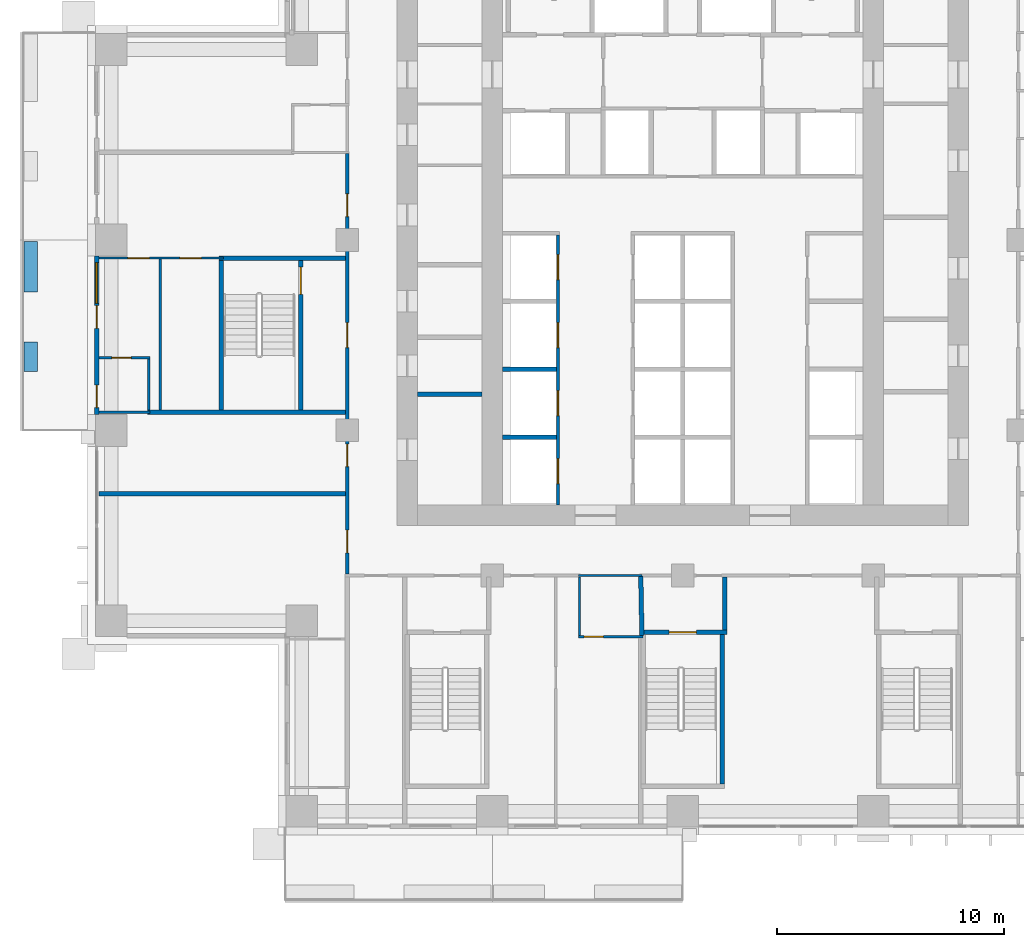
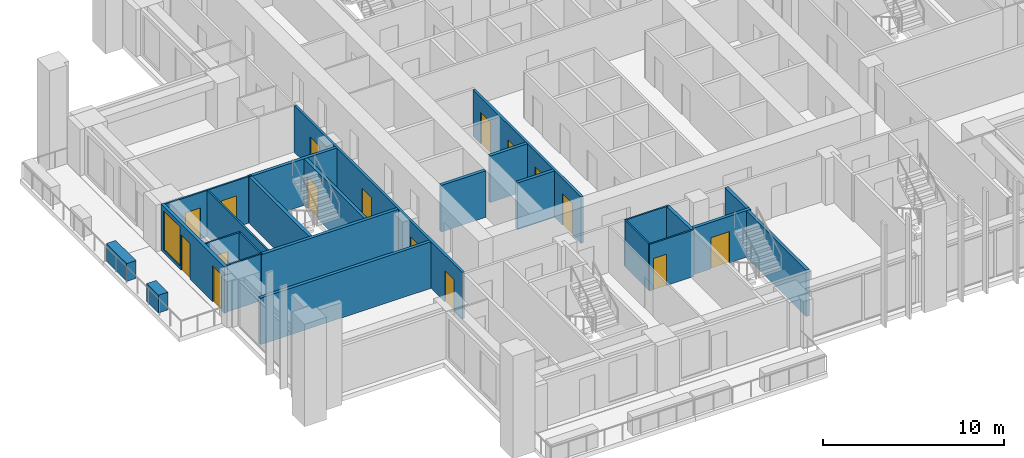
# One storey, part 7 of 18: 25 walls, 16 doors, 1 window, 17 openings.
"""IFC4 building model written with IfcOpenShell, lengths in metres."""

from ifc_helpers import new_model, si_unit, direction, frame, frame_2d, origin, place, context, subcontext, project, spatial, rectangle, extrude, material, layer, layer_set, type_object, element, fill, save


model = new_model("IFC4")

# Units and contexts
model_context = context("Model", 3, precision=1e-05, world=origin(), true_north=direction((0.0, 1.0)))
body_context = subcontext(model_context, "Body", "Model", "MODEL_VIEW")
ifc_project = project(units=[si_unit("LENGTHUNIT", "METRE"), si_unit("AREAUNIT", "SQUARE_METRE"), si_unit("VOLUMEUNIT", "CUBIC_METRE"), si_unit("PLANEANGLEUNIT", "RADIAN"), si_unit("MASSUNIT", "GRAM", prefix="KILO")], contexts=[model_context])

# Site, building, storey
site_placement = place(None, origin())
site = spatial("IfcSite", under=ifc_project, at=site_placement, CompositionType="ELEMENT")
building_placement = place(site_placement, origin())
building = spatial("IfcBuilding", under=site, at=building_placement, Name="Vermilion Ogive Tower", CompositionType="ELEMENT")
storey_placement = place(building_placement, frame((0.0, 0.0, 55.199951171875)))
storey = spatial("IfcBuildingStorey", under=building, at=storey_placement, Name="L12", CompositionType="ELEMENT", Elevation=55.199951171875)

# Wall, opening, door
ifc_material_1 = material(Name="Gypsum board partition on steel studs", Category="steel")
ifc_layer_1 = layer(ifc_material_1, 0.10009765625)
ifc_layer_set_1 = layer_set([ifc_layer_1], Name="Partition 100 bath")
wall_type_1 = type_object("IfcWallType", Name="Partition 100 bath", PredefinedType="PARTITIONING", material=ifc_layer_set_1)
wall_1_placement = place(storey_placement, frame((-4.60009765625, -13.300048828125, 0.0), z_axis=(0.0, 0.0, 1.0), x_axis=(1.0, 0.0, 0.0)))
wall_1 = element("IfcWall", 1, at=wall_1_placement, inside=storey, type_object=wall_type_1, Name="L12-W-W008", PredefinedType="PARTITIONING", context=body_context, shape_type="SweptSolid", body=[
    extrude(rectangle(XDim=2.85009765625, YDim=0.10009765625, at=frame_2d((1.425048828125, 0.0))), origin(), (0.0, 0.0, 1.0), 3.130126953125),
])
opening_1_placement = place(wall_1_placement, frame((0.25, 0.0, 0.0)))
opening_1 = element("IfcOpeningElement", 2, at=opening_1_placement, cuts=wall_1, Name="Opening D1G4014", PredefinedType="OPENING", context=body_context, shape_type="SweptSolid", body=[
    extrude(rectangle(XDim=0.85009765625, YDim=2.10009765625, at=frame_2d((0.425048828125, 1.050048828125))), frame((0.0, 0.06005859375, 0.0), z_axis=(0.0, -1.0, 0.0), x_axis=(1.0, 0.0, 0.0)), (0.0, 0.0, 1.0), 0.1201171875),
])
ifc_material_2 = material(Name="Timber door leaf", Category="wood")
door_type_1 = type_object("IfcDoorType", Name="Bath door 850 x 2100 FD30", OperationType="SINGLE_SWING_LEFT", PredefinedType="DOOR", material=ifc_material_2)
door_1_placement = place(opening_1_placement, origin())
door_1 = element("IfcDoor", 3, at=door_1_placement, inside=storey, type_object=door_type_1, Name="L12-D-D014", OperationType="SINGLE_SWING_LEFT", OverallHeight=2.10009765625, OverallWidth=0.85009765625, PredefinedType="DOOR", context=body_context, shape_type="SweptSolid", body=[
    extrude(rectangle(XDim=0.85009765625, YDim=2.10009765625, at=frame_2d((0.425048828125, 1.050048828125))), frame((0.0, 0.02490234375, 0.0), z_axis=(0.0, -1.0, 0.0), x_axis=(1.0, 0.0, 0.0)), (0.0, 0.0, 1.0), 0.050048828125),
])
fill(opening_1, door_1)

# Walls
wall_2_placement = place(storey_placement, frame((-4.60009765625, -10.60009765625, 0.0), z_axis=(0.0, 0.0, 1.0), x_axis=(1.0, 0.0, 0.0)))
element("IfcWall", 4, at=wall_2_placement, inside=storey, type_object=wall_type_1, Name="L12-W-W013", PredefinedType="PARTITIONING", context=body_context, shape_type="SweptSolid", body=[
    extrude(rectangle(XDim=2.800048828125, YDim=0.10009765625, at=frame_2d((1.39990234375, 0.0))), origin(), (0.0, 0.0, 1.0), 3.130126953125),
])
wall_3_placement = place(storey_placement, frame((-25.75, -3.39990234375, 0.0), z_axis=(0.0, 0.0, 1.0), x_axis=(1.0, 0.0, 0.0)))
element("IfcWall", 5, at=wall_3_placement, inside=storey, type_object=wall_type_1, Name="L12-W-W017", PredefinedType="PARTITIONING", context=body_context, shape_type="SweptSolid", body=[
    extrude(rectangle(XDim=2.25, YDim=0.10009765625, at=frame_2d((1.125, 0.0))), origin(), (0.0, 0.0, 1.0), 3.130126953125),
])

# Wall, opening, door
wall_4_placement = place(storey_placement, frame((-25.75, -1.0, 0.0), z_axis=(0.0, 0.0, 1.0), x_axis=(1.0, 0.0, 0.0)))
wall_4 = element("IfcWall", 6, at=wall_4_placement, inside=storey, type_object=wall_type_1, Name="L12-W-W021", PredefinedType="PARTITIONING", context=body_context, shape_type="SweptSolid", body=[
    extrude(rectangle(XDim=2.25, YDim=0.10009765625, at=frame_2d((1.125, 0.0))), origin(), (0.0, 0.0, 1.0), 3.130126953125),
])
opening_2_placement = place(wall_4_placement, frame((0.574951171875, 0.0, 0.0)))
opening_2 = element("IfcOpeningElement", 7, at=opening_2_placement, cuts=wall_4, Name="Opening D1G4007", PredefinedType="OPENING", context=body_context, shape_type="SweptSolid", body=[
    extrude(rectangle(XDim=0.85009765625, YDim=2.10009765625, at=frame_2d((0.425048828125, 1.050048828125))), frame((0.0, 0.06005859375, 0.0), z_axis=(0.0, -1.0, 0.0), x_axis=(1.0, 0.0, 0.0)), (0.0, 0.0, 1.0), 0.1201171875),
])
door_2_placement = place(opening_2_placement, origin())
door_2 = element("IfcDoor", 8, at=door_2_placement, inside=storey, type_object=door_type_1, Name="L12-D-D007", OperationType="SINGLE_SWING_RIGHT", OverallHeight=2.10009765625, OverallWidth=0.85009765625, PredefinedType="DOOR", context=body_context, shape_type="SweptSolid", body=[
    extrude(rectangle(XDim=0.85009765625, YDim=2.10009765625, at=frame_2d((0.425048828125, 1.050048828125))), frame((0.0, 0.02490234375, 0.0), z_axis=(0.0, -1.0, 0.0), x_axis=(1.0, 0.0, 0.0)), (0.0, 0.0, 1.0), 0.050048828125),
])
fill(opening_2, door_2)

# Walls
wall_5_placement = place(storey_placement, frame((-23.550048828125, -3.300048828125, 0.0), z_axis=(0.0, 0.0, 1.0), x_axis=(0.0, 1.0, 0.0)))
element("IfcWall", 9, at=wall_5_placement, inside=storey, type_object=wall_type_1, Name="L12-W-W041", PredefinedType="PARTITIONING", context=body_context, shape_type="SweptSolid", body=[
    extrude(rectangle(XDim=2.25, YDim=0.10009765625, at=frame_2d((1.125, 0.0))), origin(), (0.0, 0.0, 1.0), 3.130126953125),
])
wall_6_placement = place(storey_placement, frame((-4.550048828125, -13.25, 0.0), z_axis=(0.0, 0.0, 1.0), x_axis=(0.0, 1.0, 0.0)))
element("IfcWall", 10, at=wall_6_placement, inside=storey, type_object=wall_type_1, Name="L12-W-W059", PredefinedType="PARTITIONING", context=body_context, shape_type="SweptSolid", body=[
    extrude(rectangle(XDim=2.574951171875, YDim=0.10009765625, at=frame_2d((1.28759765625, 0.0))), origin(), (0.0, 0.0, 1.0), 3.130126953125),
])

# Wall, openings, doors
ifc_material_3 = material(Name="Gypsum board partition on steel studs", Category="steel")
ifc_layer_2 = layer(ifc_material_3, 0.10009765625)
ifc_layer_set_2 = layer_set([ifc_layer_2], Name="Partition 100 inner")
wall_type_2 = type_object("IfcWallType", Name="Partition 100 inner", PredefinedType="PARTITIONING", material=ifc_layer_set_2)
wall_7_placement = place(storey_placement, frame((-25.75, 3.39990234375, 0.0), z_axis=(0.0, 0.0, 1.0), x_axis=(1.0, 0.0, 0.0)))
wall_7 = element("IfcWall", 11, at=wall_7_placement, inside=storey, type_object=wall_type_2, Name="L12-W-W023", PredefinedType="PARTITIONING", context=body_context, shape_type="SweptSolid", body=[
    extrude(rectangle(XDim=5.5, YDim=0.10009765625, at=frame_2d((2.75, 0.0))), origin(), (0.0, 0.0, 1.0), 3.130126953125),
])
opening_3_placement = place(wall_7_placement, frame((1.27490234375, 0.0, 0.0)))
opening_3 = element("IfcOpeningElement", 12, at=opening_3_placement, cuts=wall_7, Name="Opening D1G4004", PredefinedType="OPENING", context=body_context, shape_type="SweptSolid", body=[
    extrude(rectangle(XDim=0.949951171875, YDim=2.10009765625, at=frame_2d((0.47509765625, 1.050048828125))), frame((0.0, 0.06005859375, 0.0), z_axis=(0.0, -1.0, 0.0), x_axis=(1.0, 0.0, 0.0)), (0.0, 0.0, 1.0), 0.1201171875),
])
opening_4_placement = place(wall_7_placement, frame((3.574951171875, 0.0, 0.0)))
opening_4 = element("IfcOpeningElement", 13, at=opening_4_placement, cuts=wall_7, Name="Opening D1G4006", PredefinedType="OPENING", context=body_context, shape_type="SweptSolid", body=[
    extrude(rectangle(XDim=0.949951171875, YDim=2.10009765625, at=frame_2d((0.47509765625, 1.050048828125))), frame((0.0, 0.06005859375, 0.0), z_axis=(0.0, -1.0, 0.0), x_axis=(1.0, 0.0, 0.0)), (0.0, 0.0, 1.0), 0.1201171875),
])
ifc_material_4 = material(Name="Timber door leaf", Category="wood")
door_type_2 = type_object("IfcDoorType", Name="Inner door 950 x 2100 FD30", OperationType="SINGLE_SWING_LEFT", PredefinedType="DOOR", material=ifc_material_4)
door_3_placement = place(opening_3_placement, origin())
door_3 = element("IfcDoor", 14, at=door_3_placement, inside=storey, type_object=door_type_2, Name="L12-D-D004", OperationType="SINGLE_SWING_RIGHT", OverallHeight=2.10009765625, OverallWidth=0.949951171875, PredefinedType="DOOR", context=body_context, shape_type="SweptSolid", body=[
    extrude(rectangle(XDim=0.949951171875, YDim=2.10009765625, at=frame_2d((0.47509765625, 1.050048828125))), frame((0.0, 0.02490234375, 0.0), z_axis=(0.0, -1.0, 0.0), x_axis=(1.0, 0.0, 0.0)), (0.0, 0.0, 1.0), 0.050048828125),
])
fill(opening_3, door_3)
door_4_placement = place(opening_4_placement, origin())
door_4 = element("IfcDoor", 15, at=door_4_placement, inside=storey, type_object=door_type_2, Name="L12-D-D006", OperationType="SINGLE_SWING_RIGHT", OverallHeight=2.10009765625, OverallWidth=0.949951171875, PredefinedType="DOOR", context=body_context, shape_type="SweptSolid", body=[
    extrude(rectangle(XDim=0.949951171875, YDim=2.10009765625, at=frame_2d((0.47509765625, 1.050048828125))), frame((0.0, 0.02490234375, 0.0), z_axis=(0.0, -1.0, 0.0), x_axis=(1.0, 0.0, 0.0)), (0.0, 0.0, 1.0), 0.050048828125),
])
fill(opening_4, door_4)

# Wall
wall_8_placement = place(storey_placement, frame((-23.050048828125, -3.300048828125, 0.0), z_axis=(0.0, 0.0, 1.0), x_axis=(0.0, 1.0, 0.0)))
element("IfcWall", 16, at=wall_8_placement, inside=storey, type_object=wall_type_2, Name="L12-W-W042", PredefinedType="PARTITIONING", context=body_context, shape_type="SweptSolid", body=[
    extrude(rectangle(XDim=6.650146484375, YDim=0.10009765625, at=frame_2d((3.3251953125, 0.0))), origin(), (0.0, 0.0, 1.0), 3.130126953125),
])

# Wall, openings, doors
ifc_material_5 = material(Name="Gypsum board partition on steel studs", Category="steel")
ifc_layer_3 = layer(ifc_material_5, 0.14990234375)
ifc_layer_set_3 = layer_set([ifc_layer_3], Name="Partition 150 corridor")
wall_type_3 = type_object("IfcWallType", Name="Partition 150 corridor", PredefinedType="PARTITIONING", material=ifc_layer_set_3)
wall_9_placement = place(storey_placement, frame((-14.800048828125, -10.52490234375, 0.0), z_axis=(0.0, 0.0, 1.0), x_axis=(0.0, 1.0, 0.0)))
wall_9 = element("IfcWall", 17, at=wall_9_placement, inside=storey, type_object=wall_type_3, Name="L12-W-W049", PredefinedType="PARTITIONING", context=body_context, shape_type="SweptSolid", body=[
    extrude(rectangle(XDim=18.534912109375, YDim=0.14990234375, at=frame_2d((9.267578125, 0.0))), origin(), (0.0, 0.0, 1.0), 3.130126953125),
])
opening_5_placement = place(wall_9_placement, frame((0.9248046875, 0.0, 0.0)))
opening_5 = element("IfcOpeningElement", 18, at=opening_5_placement, cuts=wall_9, Name="Opening D1G4001", PredefinedType="OPENING", context=body_context, shape_type="SweptSolid", body=[
    extrude(rectangle(XDim=1.0, YDim=2.10009765625, at=frame_2d((0.5, 1.050048828125))), frame((0.0, 0.0849609375, 0.0), z_axis=(0.0, -1.0, 0.0), x_axis=(1.0, 0.0, 0.0)), (0.0, 0.0, 1.0), 0.169921875),
])
opening_6_placement = place(wall_9_placement, frame((15.7548828125, 0.0, 0.0)))
opening_6 = element("IfcOpeningElement", 19, at=opening_6_placement, cuts=wall_9, Name="Opening D1G4005", PredefinedType="OPENING", context=body_context, shape_type="SweptSolid", body=[
    extrude(rectangle(XDim=1.0, YDim=2.10009765625, at=frame_2d((0.5, 1.050048828125))), frame((0.0, 0.0849609375, 0.0), z_axis=(0.0, -1.0, 0.0), x_axis=(1.0, 0.0, 0.0)), (0.0, 0.0, 1.0), 0.169921875),
])
opening_7_placement = place(wall_9_placement, frame((9.974853515625, 0.0, 0.0)))
opening_7 = element("IfcOpeningElement", 20, at=opening_7_placement, cuts=wall_9, Name="Opening D1G4036", PredefinedType="OPENING", context=body_context, shape_type="SweptSolid", body=[
    extrude(rectangle(XDim=1.10009765625, YDim=2.10009765625, at=frame_2d((0.550048828125, 1.050048828125))), frame((0.0, 0.0849609375, 0.0), z_axis=(0.0, -1.0, 0.0), x_axis=(1.0, 0.0, 0.0)), (0.0, 0.0, 1.0), 0.169921875),
])
opening_8_placement = place(wall_9_placement, frame((4.724853515625, 0.0, 0.0)))
opening_8 = element("IfcOpeningElement", 21, at=opening_8_placement, cuts=wall_9, Name="Opening D1G4040", PredefinedType="OPENING", context=body_context, shape_type="SweptSolid", body=[
    extrude(rectangle(XDim=1.0, YDim=2.10009765625, at=frame_2d((0.5, 1.050048828125))), frame((0.0, 0.0849609375, 0.0), z_axis=(0.0, -1.0, 0.0), x_axis=(1.0, 0.0, 0.0)), (0.0, 0.0, 1.0), 0.169921875),
])
ifc_material_6 = material(Name="Timber door leaf", Category="wood")
door_type_3 = type_object("IfcDoorType", Name="Stair door 1100 x 2100 FD60S", OperationType="SINGLE_SWING_LEFT", PredefinedType="DOOR", material=ifc_material_6)
door_5_placement = place(opening_7_placement, origin())
door_5 = element("IfcDoor", 22, at=door_5_placement, inside=storey, type_object=door_type_3, Name="L12-D-D036", OperationType="SINGLE_SWING_RIGHT", OverallHeight=2.10009765625, OverallWidth=1.10009765625, PredefinedType="DOOR", context=body_context, shape_type="SweptSolid", body=[
    extrude(rectangle(XDim=1.10009765625, YDim=2.10009765625, at=frame_2d((0.550048828125, 1.050048828125))), frame((0.0, 0.02490234375, 0.0), z_axis=(0.0, -1.0, 0.0), x_axis=(1.0, 0.0, 0.0)), (0.0, 0.0, 1.0), 0.050048828125),
])
fill(opening_7, door_5)
ifc_material_7 = material(Name="Timber door leaf", Category="wood")
door_type_4 = type_object("IfcDoorType", Name="Unit door 1000 x 2100 FD30S", OperationType="SINGLE_SWING_LEFT", PredefinedType="DOOR", material=ifc_material_7)
door_6_placement = place(opening_5_placement, origin())
door_6 = element("IfcDoor", 23, at=door_6_placement, inside=storey, type_object=door_type_4, Name="L12-D-D001", OperationType="SINGLE_SWING_LEFT", OverallHeight=2.10009765625, OverallWidth=1.0, PredefinedType="DOOR", context=body_context, shape_type="SweptSolid", body=[
    extrude(rectangle(XDim=1.0, YDim=2.10009765625, at=frame_2d((0.5, 1.050048828125))), frame((0.0, 0.02490234375, 0.0), z_axis=(0.0, -1.0, 0.0), x_axis=(1.0, 0.0, 0.0)), (0.0, 0.0, 1.0), 0.050048828125),
])
fill(opening_5, door_6)
door_7_placement = place(opening_6_placement, origin())
door_7 = element("IfcDoor", 24, at=door_7_placement, inside=storey, type_object=door_type_4, Name="L12-D-D005", OperationType="SINGLE_SWING_RIGHT", OverallHeight=2.10009765625, OverallWidth=1.0, PredefinedType="DOOR", context=body_context, shape_type="SweptSolid", body=[
    extrude(rectangle(XDim=1.0, YDim=2.10009765625, at=frame_2d((0.5, 1.050048828125))), frame((0.0, 0.02490234375, 0.0), z_axis=(0.0, -1.0, 0.0), x_axis=(1.0, 0.0, 0.0)), (0.0, 0.0, 1.0), 0.050048828125),
])
fill(opening_6, door_7)
door_8_placement = place(opening_8_placement, origin())
door_8 = element("IfcDoor", 25, at=door_8_placement, inside=storey, type_object=door_type_4, Name="L12-D-D040", OperationType="SINGLE_SWING_LEFT", OverallHeight=2.10009765625, OverallWidth=1.0, PredefinedType="DOOR", context=body_context, shape_type="SweptSolid", body=[
    extrude(rectangle(XDim=1.0, YDim=2.10009765625, at=frame_2d((0.5, 1.050048828125))), frame((0.0, 0.02490234375, 0.0), z_axis=(0.0, -1.0, 0.0), x_axis=(1.0, 0.0, 0.0)), (0.0, 0.0, 1.0), 0.050048828125),
])
fill(opening_8, door_8)

wall_10_placement = place(storey_placement, frame((-5.5, -7.4990234375, 0.0), z_axis=(0.0, 0.0, 1.0), x_axis=(0.0, 1.0, 0.0)))
wall_10 = element("IfcWall", 26, at=wall_10_placement, inside=storey, type_object=wall_type_3, Name="L12-CK-W-W022", PredefinedType="PARTITIONING", context=body_context, shape_type="SweptSolid", body=[
    extrude(rectangle(XDim=11.924072265625, YDim=0.14990234375, at=frame_2d((5.9619140625, 0.0))), origin(), (0.0, 0.0, 1.0), 3.130126953125),
])
opening_9_placement = place(wall_10_placement, frame((0.948974609375, 0.0, 0.0)))
opening_9 = element("IfcOpeningElement", 27, at=opening_9_placement, cuts=wall_10, Name="Opening DAA079", PredefinedType="OPENING", context=body_context, shape_type="SweptSolid", body=[
    extrude(rectangle(XDim=1.10009765625, YDim=2.10009765625, at=frame_2d((0.550048828125, 1.050048828125))), frame((0.0, 0.0849609375, 0.0), z_axis=(0.0, -1.0, 0.0), x_axis=(1.0, 0.0, 0.0)), (0.0, 0.0, 1.0), 0.169921875),
])
opening_10_placement = place(wall_10_placement, frame((3.948974609375, 0.0, 0.0)))
opening_10 = element("IfcOpeningElement", 28, at=opening_10_placement, cuts=wall_10, Name="Opening DAA082", PredefinedType="OPENING", context=body_context, shape_type="SweptSolid", body=[
    extrude(rectangle(XDim=1.10009765625, YDim=2.10009765625, at=frame_2d((0.550048828125, 1.050048828125))), frame((0.0, 0.0849609375, 0.0), z_axis=(0.0, -1.0, 0.0), x_axis=(1.0, 0.0, 0.0)), (0.0, 0.0, 1.0), 0.169921875),
])
opening_11_placement = place(wall_10_placement, frame((6.948974609375, 0.0, 0.0)))
opening_11 = element("IfcOpeningElement", 29, at=opening_11_placement, cuts=wall_10, Name="Opening DAA083", PredefinedType="OPENING", context=body_context, shape_type="SweptSolid", body=[
    extrude(rectangle(XDim=1.10009765625, YDim=2.10009765625, at=frame_2d((0.550048828125, 1.050048828125))), frame((0.0, 0.0849609375, 0.0), z_axis=(0.0, -1.0, 0.0), x_axis=(1.0, 0.0, 0.0)), (0.0, 0.0, 1.0), 0.169921875),
])
opening_12_placement = place(wall_10_placement, frame((9.948974609375, 0.0, 0.0)))
opening_12 = element("IfcOpeningElement", 30, at=opening_12_placement, cuts=wall_10, Name="Opening DAA084", PredefinedType="OPENING", context=body_context, shape_type="SweptSolid", body=[
    extrude(rectangle(XDim=1.10009765625, YDim=2.10009765625, at=frame_2d((0.550048828125, 1.050048828125))), frame((0.0, 0.0849609375, 0.0), z_axis=(0.0, -1.0, 0.0), x_axis=(1.0, 0.0, 0.0)), (0.0, 0.0, 1.0), 0.169921875),
])
ifc_material_8 = material(Name="Stainless steel", Category="steel")
door_type_5 = type_object("IfcDoorType", Name="Lift landing door 1100 x 2100", OperationType="SLIDING_TO_LEFT", PredefinedType="DOOR", material=ifc_material_8)
door_9_placement = place(opening_9_placement, origin())
door_9 = element("IfcDoor", 31, at=door_9_placement, inside=storey, type_object=door_type_5, Name="L12-CK-D-D001", OperationType="SLIDING_TO_RIGHT", OverallHeight=2.10009765625, OverallWidth=1.10009765625, PredefinedType="DOOR", context=body_context, shape_type="SweptSolid", body=[
    extrude(rectangle(XDim=1.10009765625, YDim=2.10009765625, at=frame_2d((0.550048828125, 1.050048828125))), frame((0.0, 0.02490234375, 0.0), z_axis=(0.0, -1.0, 0.0), x_axis=(1.0, 0.0, 0.0)), (0.0, 0.0, 1.0), 0.050048828125),
])
fill(opening_9, door_9)
door_10_placement = place(opening_10_placement, origin())
door_10 = element("IfcDoor", 32, at=door_10_placement, inside=storey, type_object=door_type_5, Name="L12-CK-D-D002", OperationType="SLIDING_TO_RIGHT", OverallHeight=2.10009765625, OverallWidth=1.10009765625, PredefinedType="DOOR", context=body_context, shape_type="SweptSolid", body=[
    extrude(rectangle(XDim=1.10009765625, YDim=2.10009765625, at=frame_2d((0.550048828125, 1.050048828125))), frame((0.0, 0.02490234375, 0.0), z_axis=(0.0, -1.0, 0.0), x_axis=(1.0, 0.0, 0.0)), (0.0, 0.0, 1.0), 0.050048828125),
])
fill(opening_10, door_10)
door_11_placement = place(opening_11_placement, origin())
door_11 = element("IfcDoor", 33, at=door_11_placement, inside=storey, type_object=door_type_5, Name="L12-CK-D-D003", OperationType="SLIDING_TO_RIGHT", OverallHeight=2.10009765625, OverallWidth=1.10009765625, PredefinedType="DOOR", context=body_context, shape_type="SweptSolid", body=[
    extrude(rectangle(XDim=1.10009765625, YDim=2.10009765625, at=frame_2d((0.550048828125, 1.050048828125))), frame((0.0, 0.02490234375, 0.0), z_axis=(0.0, -1.0, 0.0), x_axis=(1.0, 0.0, 0.0)), (0.0, 0.0, 1.0), 0.050048828125),
])
fill(opening_11, door_11)
door_12_placement = place(opening_12_placement, origin())
door_12 = element("IfcDoor", 34, at=door_12_placement, inside=storey, type_object=door_type_5, Name="L12-CK-D-D004", OperationType="SLIDING_TO_RIGHT", OverallHeight=2.10009765625, OverallWidth=1.10009765625, PredefinedType="DOOR", context=body_context, shape_type="SweptSolid", body=[
    extrude(rectangle(XDim=1.10009765625, YDim=2.10009765625, at=frame_2d((0.550048828125, 1.050048828125))), frame((0.0, 0.02490234375, 0.0), z_axis=(0.0, -1.0, 0.0), x_axis=(1.0, 0.0, 0.0)), (0.0, 0.0, 1.0), 0.050048828125),
])
fill(opening_12, door_12)

# Walls
ifc_material_9 = material(Name="Gypsum board partition on steel studs", Category="steel")
ifc_layer_4 = layer(ifc_material_9, 0.199951171875)
ifc_layer_set_4 = layer_set([ifc_layer_4], Name="Partition 200 party")
wall_type_4 = type_object("IfcWallType", Name="Partition 200 party", PredefinedType="PARTITIONING", material=ifc_layer_set_4)
wall_11_placement = place(storey_placement, frame((-25.75, -7.0, 0.0), z_axis=(0.0, 0.0, 1.0), x_axis=(1.0, 0.0, 0.0)))
element("IfcWall", 35, at=wall_11_placement, inside=storey, type_object=wall_type_4, Name="L12-W-W015", PredefinedType="PARTITIONING", context=body_context, shape_type="SweptSolid", body=[
    extrude(rectangle(XDim=10.875, YDim=0.199951171875, at=frame_2d((5.4375, 0.0))), origin(), (0.0, 0.0, 1.0), 3.130126953125),
])
for number, where, z_axis, x_axis, name in (
    (36, (-7.948974609375, -4.5, 0.0), (0.0, 0.0, 1.0), (1.0, 0.0, 0.0), "L12-CK-W-W001"),
    (37, (-7.948974609375, -1.5, 0.0), (0.0, 0.0, 1.0), (1.0, 0.0, 0.0), "L12-CK-W-W004"),
):
    element("IfcWall", number, at=place(storey_placement, frame(where, z_axis=z_axis, x_axis=x_axis)), inside=storey, type_object=wall_type_4, Name=name, PredefinedType="PARTITIONING", context=body_context, shape_type="SweptSolid", body=[
        extrude(rectangle(XDim=2.3740234375, YDim=0.199951171875, at=frame_2d((1.18701171875, 0.0))), origin(), (0.0, 0.0, 1.0), 3.130126953125),
    ])
wall_12_placement = place(storey_placement, frame((-11.698974609375, -2.60009765625, 0.0), z_axis=(0.0, 0.0, 1.0), x_axis=(1.0, 0.0, 0.0)))
element("IfcWall", 38, at=wall_12_placement, inside=storey, type_object=wall_type_4, Name="L12-CKW-W-W001", PredefinedType="PARTITIONING", context=body_context, shape_type="SweptSolid", body=[
    extrude(rectangle(XDim=2.847900390625, YDim=0.199951171875, at=frame_2d((1.423828125, 0.0))), origin(), (0.0, 0.0, 1.0), 3.130126953125),
])

# Wall, opening, door
ifc_material_10 = material(Name="Concrete B60", Category="concrete")
ifc_layer_5 = layer(ifc_material_10, 0.199951171875)
ifc_layer_set_5 = layer_set([ifc_layer_5], Name="Stair shaft wall 200 Concrete B60")
wall_type_5 = type_object("IfcWallType", Name="Stair shaft wall 200 Concrete B60", PredefinedType="SOLIDWALL", material=ifc_layer_set_5)
wall_13_placement = place(storey_placement, frame((-1.798095703125, -13.10009765625, 0.0), z_axis=(0.0, 0.0, 1.0), x_axis=(1.0, 0.0, 0.0)))
wall_13 = element("IfcWall", 39, at=wall_13_placement, inside=storey, type_object=wall_type_5, Name="L12-W-W010", PredefinedType="SOLIDWALL", context=body_context, shape_type="SweptSolid", body=[
    extrude(rectangle(XDim=3.74609375, YDim=0.199951171875, at=frame_2d((1.873046875, 0.0))), origin(), (0.0, 0.0, 1.0), 3.130126953125),
])
opening_13_placement = place(wall_13_placement, frame((1.197998046875, 0.0, 0.0)))
opening_13 = element("IfcOpeningElement", 40, at=opening_13_placement, cuts=wall_13, Name="Opening D1G4031", PredefinedType="OPENING", context=body_context, shape_type="SweptSolid", body=[
    extrude(rectangle(XDim=1.199951171875, YDim=2.10009765625, at=frame_2d((0.60009765625, 1.050048828125))), frame((0.0, 0.10986328125, 0.0), z_axis=(0.0, -1.0, 0.0), x_axis=(1.0, 0.0, 0.0)), (0.0, 0.0, 1.0), 0.219970703125),
])
ifc_material_11 = material(Name="Timber door leaf", Category="wood")
door_type_6 = type_object("IfcDoorType", Name="Stair door 1200 x 2100 FD60S", OperationType="SINGLE_SWING_LEFT", PredefinedType="DOOR", material=ifc_material_11)
door_13_placement = place(opening_13_placement, origin())
door_13 = element("IfcDoor", 41, at=door_13_placement, inside=storey, type_object=door_type_6, Name="L12-D-D031", OperationType="SINGLE_SWING_RIGHT", OverallHeight=2.10009765625, OverallWidth=1.199951171875, PredefinedType="DOOR", context=body_context, shape_type="SweptSolid", body=[
    extrude(rectangle(XDim=1.199951171875, YDim=2.10009765625, at=frame_2d((0.60009765625, 1.050048828125))), frame((0.0, 0.02490234375, 0.0), z_axis=(0.0, -1.0, 0.0), x_axis=(1.0, 0.0, 0.0)), (0.0, 0.0, 1.0), 0.050048828125),
])
fill(opening_13, door_13)

# Wall
wall_14_placement = place(storey_placement, frame((-20.449951171875, 3.39990234375, 0.0), z_axis=(0.0, 0.0, 1.0), x_axis=(1.0, 0.0, 0.0)))
element("IfcWall", 42, at=wall_14_placement, inside=storey, type_object=wall_type_5, Name="L12-W-W024", PredefinedType="SOLIDWALL", context=body_context, shape_type="SweptSolid", body=[
    extrude(rectangle(XDim=5.574951171875, YDim=0.199951171875, at=frame_2d((2.78759765625, 0.0))), origin(), (0.0, 0.0, 1.0), 3.130126953125),
])

# Wall, opening, door
wall_15_placement = place(storey_placement, frame((-16.85009765625, -3.300048828125, 0.0), z_axis=(0.0, 0.0, 1.0), x_axis=(0.0, 1.0, 0.0)))
wall_15 = element("IfcWall", 43, at=wall_15_placement, inside=storey, type_object=wall_type_5, Name="L12-W-W046", PredefinedType="SOLIDWALL", context=body_context, shape_type="SweptSolid", body=[
    extrude(rectangle(XDim=6.60009765625, YDim=0.199951171875, at=frame_2d((3.300048828125, 0.0))), origin(), (0.0, 0.0, 1.0), 3.130126953125),
])
opening_14_placement = place(wall_15_placement, frame((5.10009765625, 0.0, 0.0)))
opening_14 = element("IfcOpeningElement", 44, at=opening_14_placement, cuts=wall_15, Name="Opening D1G4037", PredefinedType="OPENING", context=body_context, shape_type="SweptSolid", body=[
    extrude(rectangle(XDim=1.199951171875, YDim=2.10009765625, at=frame_2d((0.60009765625, 1.050048828125))), frame((0.0, 0.10986328125, 0.0), z_axis=(0.0, -1.0, 0.0), x_axis=(1.0, 0.0, 0.0)), (0.0, 0.0, 1.0), 0.219970703125),
])
door_14_placement = place(opening_14_placement, origin())
door_14 = element("IfcDoor", 45, at=door_14_placement, inside=storey, type_object=door_type_6, Name="L12-D-D037", OperationType="SINGLE_SWING_RIGHT", OverallHeight=2.10009765625, OverallWidth=1.199951171875, PredefinedType="DOOR", context=body_context, shape_type="SweptSolid", body=[
    extrude(rectangle(XDim=1.199951171875, YDim=2.10009765625, at=frame_2d((0.60009765625, 1.050048828125))), frame((0.0, 0.02490234375, 0.0), z_axis=(0.0, -1.0, 0.0), x_axis=(1.0, 0.0, 0.0)), (0.0, 0.0, 1.0), 0.050048828125),
])
fill(opening_14, door_14)

# Walls
wall_16_placement = place(storey_placement, frame((-1.800048828125, -13.25, 0.0), z_axis=(0.0, 0.0, 1.0), x_axis=(-0.019062755699, 0.999818289163, 0.0)))
element("IfcWall", 46, at=wall_16_placement, inside=storey, type_object=wall_type_5, Name="L12-W-W061", PredefinedType="SOLIDWALL", context=body_context, shape_type="SweptSolid", body=[
    extrude(rectangle(XDim=2.62548828125, YDim=0.199951171875, at=frame_2d((1.312744140625, 0.0))), origin(), (0.0, 0.0, 1.0), 3.130126953125),
])
wall_17_placement = place(storey_placement, frame((1.75, -19.798095703125, 0.0), z_axis=(0.0, 0.0, 1.0), x_axis=(0.0, 1.0, 0.0)))
element("IfcWall", 47, at=wall_17_placement, inside=storey, type_object=wall_type_5, Name="L12-W-W063", PredefinedType="SOLIDWALL", context=body_context, shape_type="SweptSolid", body=[
    extrude(rectangle(XDim=6.59619140625, YDim=0.199951171875, at=frame_2d((3.298095703125, 0.0))), origin(), (0.0, 0.0, 1.0), 3.130126953125),
])
wall_18_placement = place(storey_placement, frame((1.85009765625, -12.998046875, 0.0), z_axis=(0.0, 0.0, 1.0), x_axis=(0.0, 1.0, 0.0)))
element("IfcWall", 48, at=wall_18_placement, inside=storey, type_object=wall_type_5, Name="L12-W-W064", PredefinedType="SOLIDWALL", context=body_context, shape_type="SweptSolid", body=[
    extrude(rectangle(XDim=2.322998046875, YDim=0.199951171875, at=frame_2d((1.16162109375, 0.0))), origin(), (0.0, 0.0, 1.0), 3.130126953125),
])
wall_19_placement = place(storey_placement, frame((-23.60009765625, -3.39990234375, 0.0), z_axis=(0.0, 0.0, 1.0), x_axis=(1.0, 0.0, 0.0)))
element("IfcWall", 49, at=wall_19_placement, inside=storey, type_object=wall_type_5, Name="L12-W-W018-A", PredefinedType="SOLIDWALL", context=body_context, shape_type="SweptSolid", body=[
    extrude(rectangle(XDim=8.72509765625, YDim=0.199951171875, at=frame_2d((4.362548828125, 0.0))), origin(), (0.0, 0.0, 1.0), 3.130126953125),
])
wall_20_placement = place(storey_placement, frame((-20.35009765625, -3.300048828125, 0.0), z_axis=(0.0, 0.0, 1.0), x_axis=(0.0, 1.0, 0.0)))
element("IfcWall", 50, at=wall_20_placement, inside=storey, type_object=wall_type_5, Name="L12-W-W043-A", PredefinedType="SOLIDWALL", context=body_context, shape_type="SweptSolid", body=[
    extrude(rectangle(XDim=6.60009765625, YDim=0.199951171875, at=frame_2d((3.300048828125, 0.0))), origin(), (0.0, 0.0, 1.0), 3.130126953125),
])
ifc_material_12 = material(Name="Concrete B40", Category="concrete")
ifc_layer_6 = layer(ifc_material_12, 0.60009765625)
ifc_layer_set_6 = layer_set([ifc_layer_6], Name="Structural planter")
wall_type_6 = type_object("IfcWallType", Name="Structural planter", PredefinedType="USERDEFINED", material=ifc_layer_set_6)
wall_21_placement = place(storey_placement, frame((-28.75, 4.139892578125, -0.0400390625), z_axis=(0.0, 0.0, 1.0), x_axis=(0.0, -1.0, 0.0)))
element("IfcWall", 51, at=wall_21_placement, inside=storey, type_object=wall_type_6, Name="Planter W02A1", ObjectType="PLANTER", PredefinedType="USERDEFINED", context=body_context, shape_type="SweptSolid", body=[
    extrude(rectangle(XDim=2.239990234375, YDim=0.60009765625, at=frame_2d((1.1201171875, 0.0))), origin(), (0.0, 0.0, 1.0), 1.2001953125),
])
wall_22_placement = place(storey_placement, frame((-28.75, -0.300048828125, -0.0400390625), z_axis=(0.0, 0.0, 1.0), x_axis=(0.0, -1.0, 0.0)))
element("IfcWall", 52, at=wall_22_placement, inside=storey, type_object=wall_type_6, Name="Planter W02A2", ObjectType="PLANTER", PredefinedType="USERDEFINED", context=body_context, shape_type="SweptSolid", body=[
    extrude(rectangle(XDim=1.300048828125, YDim=0.60009765625, at=frame_2d((0.64990234375, 0.0))), origin(), (0.0, 0.0, 1.0), 1.2001953125),
])

# Wall, openings, doors, window
ifc_material_13 = material(Name="Aluminium window wall framing", Category="aluminium")
ifc_layer_7 = layer(ifc_material_13, 0.199951171875)
ifc_layer_set_7 = layer_set([ifc_layer_7], Name="Window wall")
wall_type_7 = type_object("IfcWallType", Name="Window wall", PredefinedType="STANDARD", material=ifc_layer_set_7)
wall_23_placement = place(storey_placement, frame((-25.85009765625, 3.5, 0.0), z_axis=(0.0, 0.0, 1.0), x_axis=(0.0, -1.0, 0.0)))
wall_23 = element("IfcWall", 53, at=wall_23_placement, inside=storey, type_object=wall_type_7, Name="Window wall W2", PredefinedType="STANDARD", context=body_context, shape_type="SweptSolid", body=[
    extrude(rectangle(XDim=7.0, YDim=0.199951171875, at=frame_2d((3.5, 0.0))), origin(), (0.0, 0.0, 1.0), 3.130126953125),
])
opening_15_placement = place(wall_23_placement, frame((5.699951171875, 0.0, 0.0)))
opening_15 = element("IfcOpeningElement", 54, at=opening_15_placement, cuts=wall_23, Name="Opening D1-W99", PredefinedType="OPENING", context=body_context, shape_type="SweptSolid", body=[
    extrude(rectangle(XDim=1.0, YDim=2.39990234375, at=frame_2d((0.5, 1.199951171875))), frame((0.0, 0.10986328125, 0.0), z_axis=(0.0, -1.0, 0.0), x_axis=(1.0, 0.0, 0.0)), (0.0, 0.0, 1.0), 0.219970703125),
])
opening_16_placement = place(wall_23_placement, frame((0.300048828125, 0.0, 0.199951171875)))
opening_16 = element("IfcOpeningElement", 55, at=opening_16_placement, cuts=wall_23, Name="Opening W1-W00", PredefinedType="OPENING", context=body_context, shape_type="SweptSolid", body=[
    extrude(rectangle(XDim=1.800048828125, YDim=2.64990234375, at=frame_2d((0.89990234375, 1.324951171875))), frame((0.0, 0.10986328125, 0.0), z_axis=(0.0, -1.0, 0.0), x_axis=(1.0, 0.0, 0.0)), (0.0, 0.0, 1.0), 0.219970703125),
])
opening_17_placement = place(wall_23_placement, frame((2.199951171875, 0.0, 0.0)))
opening_17 = element("IfcOpeningElement", 56, at=opening_17_placement, cuts=wall_23, Name="Opening D1-W00", PredefinedType="OPENING", context=body_context, shape_type="SweptSolid", body=[
    extrude(rectangle(XDim=1.0, YDim=2.39990234375, at=frame_2d((0.5, 1.199951171875))), frame((0.0, 0.10986328125, 0.0), z_axis=(0.0, -1.0, 0.0), x_axis=(1.0, 0.0, 0.0)), (0.0, 0.0, 1.0), 0.219970703125),
])
ifc_material_14 = material(Name="Aluminium framed glazed door", Category="aluminium")
door_type_7 = type_object("IfcDoorType", Name="Balcony door D1", OperationType="SINGLE_SWING_LEFT", PredefinedType="DOOR", material=ifc_material_14)
door_15_placement = place(opening_15_placement, origin())
door_15 = element("IfcDoor", 57, at=door_15_placement, inside=storey, type_object=door_type_7, Name="Balcony door W99", OperationType="SINGLE_SWING_LEFT", OverallHeight=2.39990234375, OverallWidth=1.0, PredefinedType="DOOR", context=body_context, shape_type="SweptSolid", body=[
    extrude(rectangle(XDim=1.0, YDim=2.39990234375, at=frame_2d((0.5, 1.199951171875))), frame((0.0, 0.02490234375, 0.0), z_axis=(0.0, -1.0, 0.0), x_axis=(1.0, 0.0, 0.0)), (0.0, 0.0, 1.0), 0.050048828125),
])
fill(opening_15, door_15)
door_16_placement = place(opening_17_placement, origin())
door_16 = element("IfcDoor", 58, at=door_16_placement, inside=storey, type_object=door_type_7, Name="Balcony door W00", OperationType="SINGLE_SWING_LEFT", OverallHeight=2.39990234375, OverallWidth=1.0, PredefinedType="DOOR", context=body_context, shape_type="SweptSolid", body=[
    extrude(rectangle(XDim=1.0, YDim=2.39990234375, at=frame_2d((0.5, 1.199951171875))), frame((0.0, 0.02490234375, 0.0), z_axis=(0.0, -1.0, 0.0), x_axis=(1.0, 0.0, 0.0)), (0.0, 0.0, 1.0), 0.050048828125),
])
fill(opening_17, door_16)
ifc_material_15 = material(Name="Aluminium framed double glazing", Category="aluminium")
window_type = type_object("IfcWindowType", Name="Guest window W1", PartitioningType="SINGLE_PANEL", PredefinedType="WINDOW", material=ifc_material_15)
window_placement = place(opening_16_placement, origin())
window = element("IfcWindow", 59, at=window_placement, inside=storey, type_object=window_type, Name="Window W00", OverallHeight=2.64990234375, OverallWidth=1.800048828125, PartitioningType="SINGLE_PANEL", PredefinedType="WINDOW", context=body_context, shape_type="SweptSolid", body=[
    extrude(rectangle(XDim=1.800048828125, YDim=2.64990234375, at=frame_2d((0.89990234375, 1.324951171875))), frame((0.0, 0.030029296875, 0.0), z_axis=(0.0, -1.0, 0.0), x_axis=(1.0, 0.0, 0.0)), (0.0, 0.0, 1.0), 0.06005859375),
])
fill(opening_16, window)

save(model, "model.ifc")
